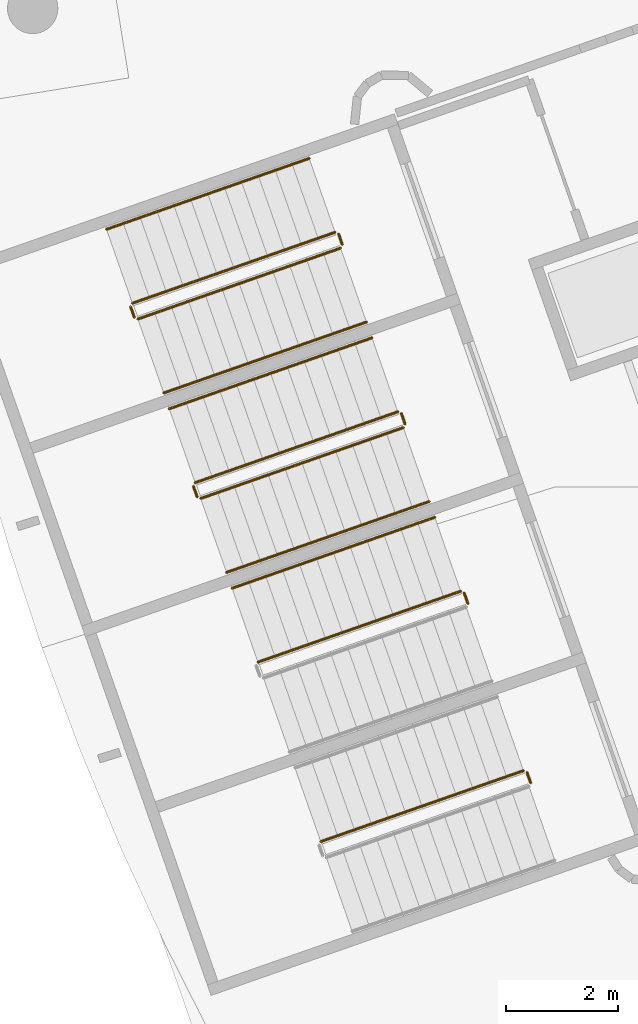
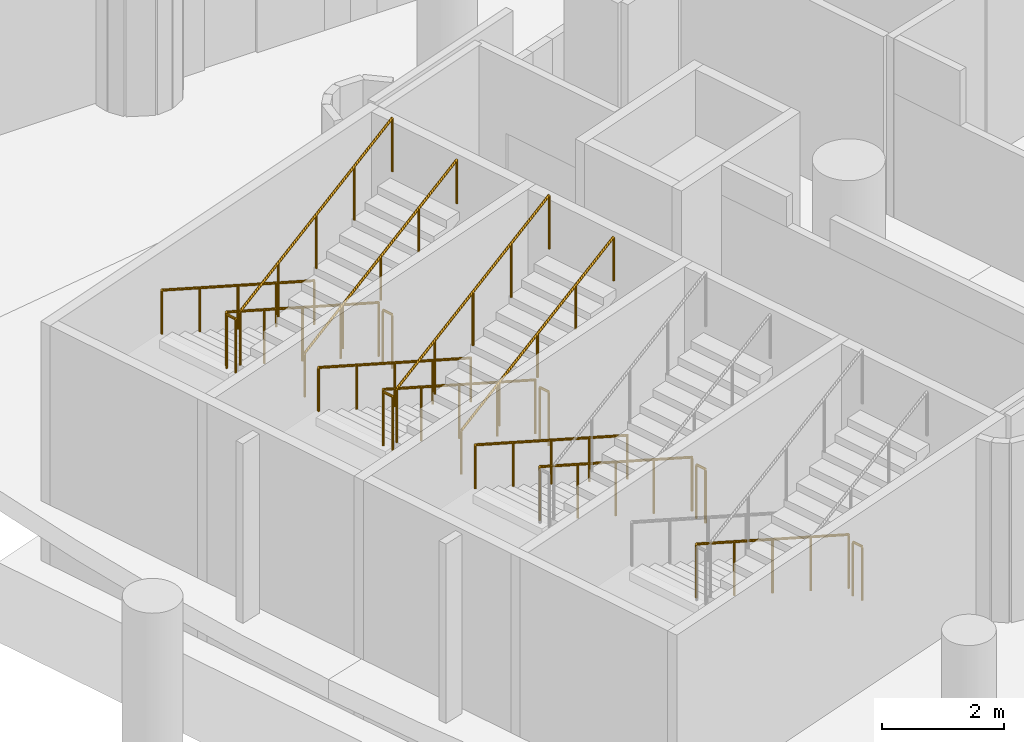
# One storey, part 110 of 142: 17 railings.
"""IFC4 building model written with IfcOpenShell, lengths in metres."""

from ifc_helpers import new_model, si_unit, direction, frame, origin, origin_2d, place, context, subcontext, project, spatial, circle, extrude, material, type_object, element, save


model = new_model("IFC4")

# Units and contexts
model_context = context("Model", 3, precision=1e-05, world=origin(), true_north=direction((0.0, 1.0)))
body_context = subcontext(model_context, "Body", "Model", "MODEL_VIEW")
ifc_project = project(units=[si_unit("LENGTHUNIT", "METRE"), si_unit("AREAUNIT", "SQUARE_METRE"), si_unit("VOLUMEUNIT", "CUBIC_METRE"), si_unit("PLANEANGLEUNIT", "RADIAN"), si_unit("MASSUNIT", "GRAM", prefix="KILO")], contexts=[model_context])

# Site, building, storey
site_placement = place(None, origin())
site = spatial("IfcSite", under=ifc_project, at=site_placement, CompositionType="ELEMENT")
building_placement = place(site_placement, origin())
building = spatial("IfcBuilding", under=site, at=building_placement, Name="Meseta Stadium", CompositionType="ELEMENT")
storey_placement = place(building_placement, frame((0.0, 0.0, -4.0)))
storey = spatial("IfcBuildingStorey", under=building, at=storey_placement, Name="B1", CompositionType="ELEMENT", Elevation=-4.0)

# Railings
ifc_material_1 = material(Name="Steel S355", Category="steel")
railing_type_1 = type_object("IfcRailingType", Name="Stair guard 1100", PredefinedType="GUARDRAIL", material=ifc_material_1)
railing_1_placement = place(storey_placement, frame((-88.88720703125, -59.44482421875, 0.15380859375)))
element("IfcRailing", 1, at=railing_1_placement, inside=storey, type_object=railing_type_1, Name="ST77 B1 guard 1", PredefinedType="GUARDRAIL", context=body_context, shape_type="SweptSolid", body=[
    extrude(circle(Radius=0.02392578125, at=origin_2d()), frame((0.0, 0.0, 1.076171875), z_axis=(-0.85067155836, -0.29767201574, 0.433300439467), x_axis=(0.330288120323, -0.9438801606, 0.0)), (0.0, 0.0, 1.0), 4.2607421875),
    extrude(circle(Radius=0.02099609375, at=origin_2d()), origin(), (0.0, 0.0, 1.0), 1.052001953125),
    extrude(circle(Radius=0.02099609375, at=origin_2d()), frame((-0.90625, -0.317138671875, 0.46142578125)), (0.0, 0.0, 1.0), 1.052001953125),
    extrude(circle(Radius=0.02099609375, at=origin_2d()), frame((-1.812255859375, -0.63427734375, 0.923095703125)), (0.0, 0.0, 1.0), 1.052001953125),
    extrude(circle(Radius=0.02099609375, at=origin_2d()), frame((-2.71826171875, -0.951171875, 1.384765625)), (0.0, 0.0, 1.0), 1.052001953125),
    extrude(circle(Radius=0.02099609375, at=origin_2d()), frame((-3.62451171875, -1.268310546875, 1.84619140625)), (0.0, 0.0, 1.0), 1.052001953125),
])
railing_2_placement = place(storey_placement, frame((-92.54248046875, -60.77685546875, 2.0)))
element("IfcRailing", 2, at=railing_2_placement, inside=storey, type_object=railing_type_1, Name="ST77 B1 guard 2", PredefinedType="GUARDRAIL", context=body_context, shape_type="SweptSolid", body=[
    extrude(circle(Radius=0.02392578125, at=origin_2d()), frame((0.0, 0.0, 1.076171875), z_axis=(0.330839792317, -0.943686935281, 0.0), x_axis=(0.943686935281, 0.330839792317, 0.0)), (0.0, 0.0, 1.0), 0.199951171875),
    extrude(circle(Radius=0.02099609375, at=origin_2d()), origin(), (0.0, 0.0, 1.0), 1.052001953125),
    extrude(circle(Radius=0.02099609375, at=origin_2d()), frame((0.066162109375, -0.188720703125, 0.0)), (0.0, 0.0, 1.0), 1.052001953125),
])
railing_3_placement = place(storey_placement, frame((-92.41259765625, -60.996337890625, 2.15380859375)))
element("IfcRailing", 3, at=railing_3_placement, inside=storey, type_object=railing_type_1, Name="ST77 B1 guard 3", PredefinedType="GUARDRAIL", context=body_context, shape_type="SweptSolid", body=[
    extrude(circle(Radius=0.02392578125, at=origin_2d()), frame((0.0, 0.0, 1.076171875), z_axis=(0.85067155836, 0.29767201574, 0.433300439467), x_axis=(-0.330288120323, 0.9438801606, 0.0)), (0.0, 0.0, 1.0), 4.2607421875),
    extrude(circle(Radius=0.02099609375, at=origin_2d()), origin(), (0.0, 0.0, 1.0), 1.052001953125),
    extrude(circle(Radius=0.02099609375, at=origin_2d()), frame((0.90625, 0.317138671875, 0.46142578125)), (0.0, 0.0, 1.0), 1.052001953125),
    extrude(circle(Radius=0.02099609375, at=origin_2d()), frame((1.812255859375, 0.63427734375, 0.923095703125)), (0.0, 0.0, 1.0), 1.052001953125),
    extrude(circle(Radius=0.02099609375, at=origin_2d()), frame((2.71826171875, 0.951171875, 1.384765625)), (0.0, 0.0, 1.0), 1.052001953125),
    extrude(circle(Radius=0.02099609375, at=origin_2d()), frame((3.62451171875, 1.268310546875, 1.84619140625)), (0.0, 0.0, 1.0), 1.052001953125),
])
railing_4_placement = place(storey_placement, frame((-88.823486328125, -59.475341796875, 0.0)))
element("IfcRailing", 4, at=railing_4_placement, inside=storey, type_object=railing_type_1, Name="ST77 B1 guard 4", PredefinedType="GUARDRAIL", context=body_context, shape_type="SweptSolid", body=[
    extrude(circle(Radius=0.02392578125, at=origin_2d()), frame((0.0, 0.0, 1.076171875), z_axis=(0.329372156318, -0.944200181446, 0.0), x_axis=(0.944200181446, 0.329372156318, 0.0)), (0.0, 0.0, 1.0), 0.2001953125),
    extrude(circle(Radius=0.02099609375, at=origin_2d()), origin(), (0.0, 0.0, 1.0), 1.052001953125),
    extrude(circle(Radius=0.02099609375, at=origin_2d()), frame((0.06591796875, -0.18896484375, 0.0)), (0.0, 0.0, 1.0), 1.052001953125),
])
railing_5_placement = place(storey_placement, frame((-87.764404296875, -62.654052734375, 0.15380859375)))
element("IfcRailing", 5, at=railing_5_placement, inside=storey, type_object=railing_type_1, Name="ST78 B1 guard 1", PredefinedType="GUARDRAIL", context=body_context, shape_type="SweptSolid", body=[
    extrude(circle(Radius=0.02392578125, at=origin_2d()), frame((0.0, 0.0, 1.076171875), z_axis=(-0.85067155836, -0.29767201574, 0.433300439467), x_axis=(0.330288120323, -0.9438801606, 0.0)), (0.0, 0.0, 1.0), 4.2607421875),
    extrude(circle(Radius=0.02099609375, at=origin_2d()), origin(), (0.0, 0.0, 1.0), 1.052001953125),
    extrude(circle(Radius=0.02099609375, at=origin_2d()), frame((-0.90625, -0.317138671875, 0.46142578125)), (0.0, 0.0, 1.0), 1.052001953125),
    extrude(circle(Radius=0.02099609375, at=origin_2d()), frame((-1.812255859375, -0.63427734375, 0.923095703125)), (0.0, 0.0, 1.0), 1.052001953125),
    extrude(circle(Radius=0.02099609375, at=origin_2d()), frame((-2.71826171875, -0.951171875, 1.384765625)), (0.0, 0.0, 1.0), 1.052001953125),
    extrude(circle(Radius=0.02099609375, at=origin_2d()), frame((-3.62451171875, -1.268310546875, 1.84619140625)), (0.0, 0.0, 1.0), 1.052001953125),
])
railing_6_placement = place(storey_placement, frame((-91.41943359375, -63.986083984375, 2.0)))
element("IfcRailing", 6, at=railing_6_placement, inside=storey, type_object=railing_type_1, Name="ST78 B1 guard 2", PredefinedType="GUARDRAIL", context=body_context, shape_type="SweptSolid", body=[
    extrude(circle(Radius=0.02392578125, at=origin_2d()), frame((0.0, 0.0, 1.076171875), z_axis=(0.329751946816, -0.944067610699, 0.0), x_axis=(0.944067610699, 0.329751946816, 0.0)), (0.0, 0.0, 1.0), 0.199951171875),
    extrude(circle(Radius=0.02099609375, at=origin_2d()), origin(), (0.0, 0.0, 1.0), 1.052001953125),
    extrude(circle(Radius=0.02099609375, at=origin_2d()), frame((0.06591796875, -0.188720703125, 0.0)), (0.0, 0.0, 1.0), 1.052001953125),
])
railing_7_placement = place(storey_placement, frame((-91.289794921875, -64.205322265625, 2.15380859375)))
element("IfcRailing", 7, at=railing_7_placement, inside=storey, type_object=railing_type_1, Name="ST78 B1 guard 3", PredefinedType="GUARDRAIL", context=body_context, shape_type="SweptSolid", body=[
    extrude(circle(Radius=0.02392578125, at=origin_2d()), frame((0.0, 0.0, 1.076171875), z_axis=(0.850686066833, 0.297619791939, 0.433307829543), x_axis=(-0.330231476208, 0.943899979935, 0.0)), (0.0, 0.0, 1.0), 4.2607421875),
    extrude(circle(Radius=0.02099609375, at=origin_2d()), origin(), (0.0, 0.0, 1.0), 1.052001953125),
    extrude(circle(Radius=0.02099609375, at=origin_2d()), frame((0.90625, 0.31689453125, 0.46142578125)), (0.0, 0.0, 1.0), 1.052001953125),
    extrude(circle(Radius=0.02099609375, at=origin_2d()), frame((1.812255859375, 0.634033203125, 0.923095703125)), (0.0, 0.0, 1.0), 1.052001953125),
    extrude(circle(Radius=0.02099609375, at=origin_2d()), frame((2.71826171875, 0.951171875, 1.384765625)), (0.0, 0.0, 1.0), 1.052001953125),
    extrude(circle(Radius=0.02099609375, at=origin_2d()), frame((3.62451171875, 1.26806640625, 1.84619140625)), (0.0, 0.0, 1.0), 1.052001953125),
])
railing_8_placement = place(storey_placement, frame((-87.70068359375, -62.6845703125, 0.0)))
element("IfcRailing", 8, at=railing_8_placement, inside=storey, type_object=railing_type_1, Name="ST78 B1 guard 4", PredefinedType="GUARDRAIL", context=body_context, shape_type="SweptSolid", body=[
    extrude(circle(Radius=0.02392578125, at=origin_2d()), frame((0.0, 0.0, 1.076171875), z_axis=(0.330459055601, -0.943820328543, 0.0), x_axis=(0.943820328543, 0.330459055601, 0.0)), (0.0, 0.0, 1.0), 0.2001953125),
    extrude(circle(Radius=0.02099609375, at=origin_2d()), origin(), (0.0, 0.0, 1.0), 1.052001953125),
    extrude(circle(Radius=0.02099609375, at=origin_2d()), frame((0.066162109375, -0.18896484375, 0.0)), (0.0, 0.0, 1.0), 1.052001953125),
])
railing_9_placement = place(storey_placement, frame((-86.641357421875, -65.86328125, 0.15380859375)))
element("IfcRailing", 9, at=railing_9_placement, inside=storey, type_object=railing_type_1, Name="ST79 B1 guard 1", PredefinedType="GUARDRAIL", context=body_context, shape_type="SweptSolid", body=[
    extrude(circle(Radius=0.02392578125, at=origin_2d()), frame((0.0, 0.0, 1.076171875), z_axis=(-0.850686066833, -0.297619791939, 0.433307829543), x_axis=(0.330231476208, -0.943899979935, 0.0)), (0.0, 0.0, 1.0), 4.2607421875),
    extrude(circle(Radius=0.02099609375, at=origin_2d()), origin(), (0.0, 0.0, 1.0), 1.052001953125),
    extrude(circle(Radius=0.02099609375, at=origin_2d()), frame((-0.90625, -0.31689453125, 0.46142578125)), (0.0, 0.0, 1.0), 1.052001953125),
    extrude(circle(Radius=0.02099609375, at=origin_2d()), frame((-1.812255859375, -0.634033203125, 0.923095703125)), (0.0, 0.0, 1.0), 1.052001953125),
    extrude(circle(Radius=0.02099609375, at=origin_2d()), frame((-2.71826171875, -0.951171875, 1.384765625)), (0.0, 0.0, 1.0), 1.052001953125),
    extrude(circle(Radius=0.02099609375, at=origin_2d()), frame((-3.62451171875, -1.26806640625, 1.84619140625)), (0.0, 0.0, 1.0), 1.052001953125),
])
railing_10_placement = place(storey_placement, frame((-86.57763671875, -65.893798828125, 0.0)))
element("IfcRailing", 10, at=railing_10_placement, inside=storey, type_object=railing_type_1, Name="ST79 B1 guard 4", PredefinedType="GUARDRAIL", context=body_context, shape_type="SweptSolid", body=[
    extrude(circle(Radius=0.02392578125, at=origin_2d()), frame((0.0, 0.0, 1.076171875), z_axis=(0.329372156318, -0.944200181446, 0.0), x_axis=(0.944200181446, 0.329372156318, 0.0)), (0.0, 0.0, 1.0), 0.2001953125),
    extrude(circle(Radius=0.02099609375, at=origin_2d()), origin(), (0.0, 0.0, 1.0), 1.052001953125),
    extrude(circle(Radius=0.02099609375, at=origin_2d()), frame((0.06591796875, -0.18896484375, 0.0)), (0.0, 0.0, 1.0), 1.052001953125),
])
railing_11_placement = place(storey_placement, frame((-85.518310546875, -69.072509765625, 0.15380859375)))
element("IfcRailing", 11, at=railing_11_placement, inside=storey, type_object=railing_type_1, Name="ST80 B1 guard 1", PredefinedType="GUARDRAIL", context=body_context, shape_type="SweptSolid", body=[
    extrude(circle(Radius=0.02392578125, at=origin_2d()), frame((0.0, 0.0, 1.076171875), z_axis=(-0.850686066833, -0.297619791939, 0.433307829543), x_axis=(0.330231476208, -0.943899979935, 0.0)), (0.0, 0.0, 1.0), 4.2607421875),
    extrude(circle(Radius=0.02099609375, at=origin_2d()), origin(), (0.0, 0.0, 1.0), 1.052001953125),
    extrude(circle(Radius=0.02099609375, at=origin_2d()), frame((-0.90625, -0.31689453125, 0.46142578125)), (0.0, 0.0, 1.0), 1.052001953125),
    extrude(circle(Radius=0.02099609375, at=origin_2d()), frame((-1.812255859375, -0.634033203125, 0.923095703125)), (0.0, 0.0, 1.0), 1.052001953125),
    extrude(circle(Radius=0.02099609375, at=origin_2d()), frame((-2.71826171875, -0.951171875, 1.384765625)), (0.0, 0.0, 1.0), 1.052001953125),
    extrude(circle(Radius=0.02099609375, at=origin_2d()), frame((-3.62451171875, -1.26806640625, 1.84619140625)), (0.0, 0.0, 1.0), 1.052001953125),
])
railing_12_placement = place(storey_placement, frame((-85.454833984375, -69.10302734375, 0.0)))
element("IfcRailing", 12, at=railing_12_placement, inside=storey, type_object=railing_type_1, Name="ST80 B1 guard 4", PredefinedType="GUARDRAIL", context=body_context, shape_type="SweptSolid", body=[
    extrude(circle(Radius=0.02392578125, at=origin_2d()), frame((0.0, 0.0, 1.076171875), z_axis=(0.330839792317, -0.943686935281, 0.0), x_axis=(0.943686935281, 0.330839792317, 0.0)), (0.0, 0.0, 1.0), 0.199951171875),
    extrude(circle(Radius=0.02099609375, at=origin_2d()), origin(), (0.0, 0.0, 1.0), 1.052001953125),
    extrude(circle(Radius=0.02099609375, at=origin_2d()), frame((0.066162109375, -0.188720703125, 0.0)), (0.0, 0.0, 1.0), 1.052001953125),
])
ifc_material_2 = material(Name="Steel S355", Category="steel")
railing_type_2 = type_object("IfcRailingType", Name="Stair handrail 900", PredefinedType="HANDRAIL", material=ifc_material_2)
railing_13_placement = place(storey_placement, frame((-89.349609375, -58.123291015625, 0.15380859375)))
element("IfcRailing", 13, at=railing_13_placement, inside=storey, type_object=railing_type_2, Name="ST77 B1 handrail 1", PredefinedType="HANDRAIL", context=body_context, shape_type="SweptSolid", body=[
    extrude(circle(Radius=0.02392578125, at=origin_2d()), frame((0.0, 0.0, 0.8759765625), z_axis=(-0.85067155836, -0.29767201574, 0.433300439467), x_axis=(0.330288120323, -0.9438801606, 0.0)), (0.0, 0.0, 1.0), 4.2607421875),
    extrude(circle(Radius=0.02099609375, at=origin_2d()), origin(), (0.0, 0.0, 1.0), 0.851806640625),
    extrude(circle(Radius=0.02099609375, at=origin_2d()), frame((-0.90625, -0.317138671875, 0.46142578125)), (0.0, 0.0, 1.0), 0.851806640625),
    extrude(circle(Radius=0.02099609375, at=origin_2d()), frame((-1.812255859375, -0.63427734375, 0.923095703125)), (0.0, 0.0, 1.0), 0.851806640625),
    extrude(circle(Radius=0.02099609375, at=origin_2d()), frame((-2.71826171875, -0.951171875, 1.384765625)), (0.0, 0.0, 1.0), 0.851806640625),
    extrude(circle(Radius=0.02099609375, at=origin_2d()), frame((-3.62451171875, -1.268310546875, 1.84619140625)), (0.0, 0.0, 1.0), 0.851806640625),
])
railing_14_placement = place(storey_placement, frame((-91.9501953125, -62.317626953125, 2.15380859375)))
element("IfcRailing", 14, at=railing_14_placement, inside=storey, type_object=railing_type_2, Name="ST77 B1 handrail 2", PredefinedType="HANDRAIL", context=body_context, shape_type="SweptSolid", body=[
    extrude(circle(Radius=0.02392578125, at=origin_2d()), frame((0.0, 0.0, 0.8759765625), z_axis=(0.85067155836, 0.29767201574, 0.433300439467), x_axis=(-0.330288120323, 0.9438801606, 0.0)), (0.0, 0.0, 1.0), 4.2607421875),
    extrude(circle(Radius=0.02099609375, at=origin_2d()), origin(), (0.0, 0.0, 1.0), 0.851806640625),
    extrude(circle(Radius=0.02099609375, at=origin_2d()), frame((0.90625, 0.317138671875, 0.46142578125)), (0.0, 0.0, 1.0), 0.851806640625),
    extrude(circle(Radius=0.02099609375, at=origin_2d()), frame((1.812255859375, 0.63427734375, 0.923095703125)), (0.0, 0.0, 1.0), 0.851806640625),
    extrude(circle(Radius=0.02099609375, at=origin_2d()), frame((2.71826171875, 0.951171875, 1.384765625)), (0.0, 0.0, 1.0), 0.851806640625),
    extrude(circle(Radius=0.02099609375, at=origin_2d()), frame((3.62451171875, 1.268310546875, 1.84619140625)), (0.0, 0.0, 1.0), 0.851806640625),
])
railing_15_placement = place(storey_placement, frame((-88.226806640625, -61.33251953125, 0.15380859375)))
element("IfcRailing", 15, at=railing_15_placement, inside=storey, type_object=railing_type_2, Name="ST78 B1 handrail 1", PredefinedType="HANDRAIL", context=body_context, shape_type="SweptSolid", body=[
    extrude(circle(Radius=0.02392578125, at=origin_2d()), frame((0.0, 0.0, 0.8759765625), z_axis=(-0.85067155836, -0.29767201574, 0.433300439467), x_axis=(0.330288120323, -0.9438801606, 0.0)), (0.0, 0.0, 1.0), 4.2607421875),
    extrude(circle(Radius=0.02099609375, at=origin_2d()), origin(), (0.0, 0.0, 1.0), 0.851806640625),
    extrude(circle(Radius=0.02099609375, at=origin_2d()), frame((-0.90625, -0.317138671875, 0.46142578125)), (0.0, 0.0, 1.0), 0.851806640625),
    extrude(circle(Radius=0.02099609375, at=origin_2d()), frame((-1.812255859375, -0.63427734375, 0.923095703125)), (0.0, 0.0, 1.0), 0.851806640625),
    extrude(circle(Radius=0.02099609375, at=origin_2d()), frame((-2.71826171875, -0.951171875, 1.384765625)), (0.0, 0.0, 1.0), 0.851806640625),
    extrude(circle(Radius=0.02099609375, at=origin_2d()), frame((-3.62451171875, -1.268310546875, 1.84619140625)), (0.0, 0.0, 1.0), 0.851806640625),
])
railing_16_placement = place(storey_placement, frame((-90.827392578125, -65.52685546875, 2.15380859375)))
element("IfcRailing", 16, at=railing_16_placement, inside=storey, type_object=railing_type_2, Name="ST78 B1 handrail 2", PredefinedType="HANDRAIL", context=body_context, shape_type="SweptSolid", body=[
    extrude(circle(Radius=0.02392578125, at=origin_2d()), frame((0.0, 0.0, 0.8759765625), z_axis=(0.85067155836, 0.29767201574, 0.433300439467), x_axis=(-0.330288120323, 0.9438801606, 0.0)), (0.0, 0.0, 1.0), 4.2607421875),
    extrude(circle(Radius=0.02099609375, at=origin_2d()), origin(), (0.0, 0.0, 1.0), 0.851806640625),
    extrude(circle(Radius=0.02099609375, at=origin_2d()), frame((0.90625, 0.317138671875, 0.46142578125)), (0.0, 0.0, 1.0), 0.851806640625),
    extrude(circle(Radius=0.02099609375, at=origin_2d()), frame((1.812255859375, 0.63427734375, 0.923095703125)), (0.0, 0.0, 1.0), 0.851806640625),
    extrude(circle(Radius=0.02099609375, at=origin_2d()), frame((2.71826171875, 0.951171875, 1.384765625)), (0.0, 0.0, 1.0), 0.851806640625),
    extrude(circle(Radius=0.02099609375, at=origin_2d()), frame((3.62451171875, 1.268310546875, 1.84619140625)), (0.0, 0.0, 1.0), 0.851806640625),
])
railing_17_placement = place(storey_placement, frame((-87.103759765625, -64.541748046875, 0.15380859375)))
element("IfcRailing", 17, at=railing_17_placement, inside=storey, type_object=railing_type_2, Name="ST79 B1 handrail 1", PredefinedType="HANDRAIL", context=body_context, shape_type="SweptSolid", body=[
    extrude(circle(Radius=0.02392578125, at=origin_2d()), frame((0.0, 0.0, 0.8759765625), z_axis=(-0.85067155836, -0.29767201574, 0.433300439467), x_axis=(0.330288120323, -0.9438801606, 0.0)), (0.0, 0.0, 1.0), 4.2607421875),
    extrude(circle(Radius=0.02099609375, at=origin_2d()), origin(), (0.0, 0.0, 1.0), 0.851806640625),
    extrude(circle(Radius=0.02099609375, at=origin_2d()), frame((-0.90625, -0.317138671875, 0.46142578125)), (0.0, 0.0, 1.0), 0.851806640625),
    extrude(circle(Radius=0.02099609375, at=origin_2d()), frame((-1.812255859375, -0.63427734375, 0.923095703125)), (0.0, 0.0, 1.0), 0.851806640625),
    extrude(circle(Radius=0.02099609375, at=origin_2d()), frame((-2.71826171875, -0.951171875, 1.384765625)), (0.0, 0.0, 1.0), 0.851806640625),
    extrude(circle(Radius=0.02099609375, at=origin_2d()), frame((-3.62451171875, -1.268310546875, 1.84619140625)), (0.0, 0.0, 1.0), 0.851806640625),
])

save(model, "model.ifc")
